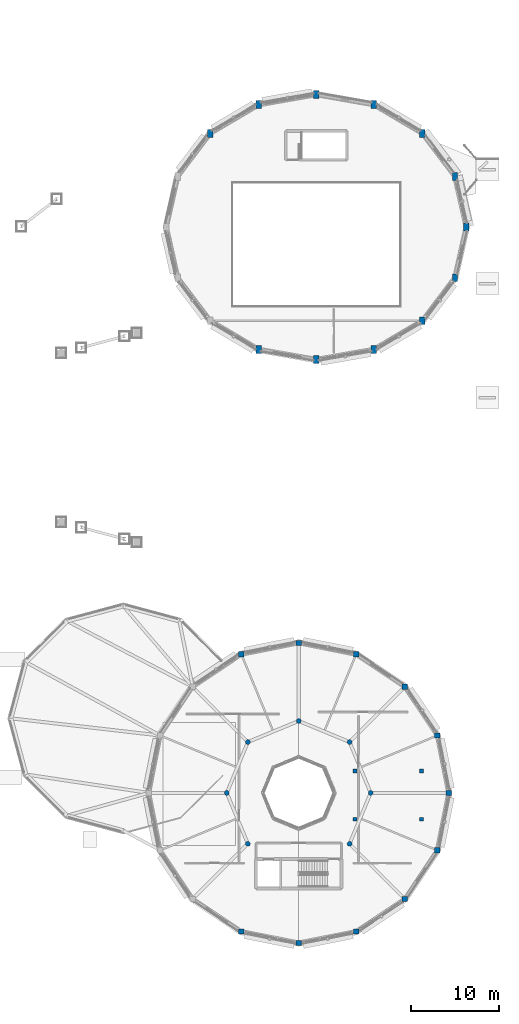
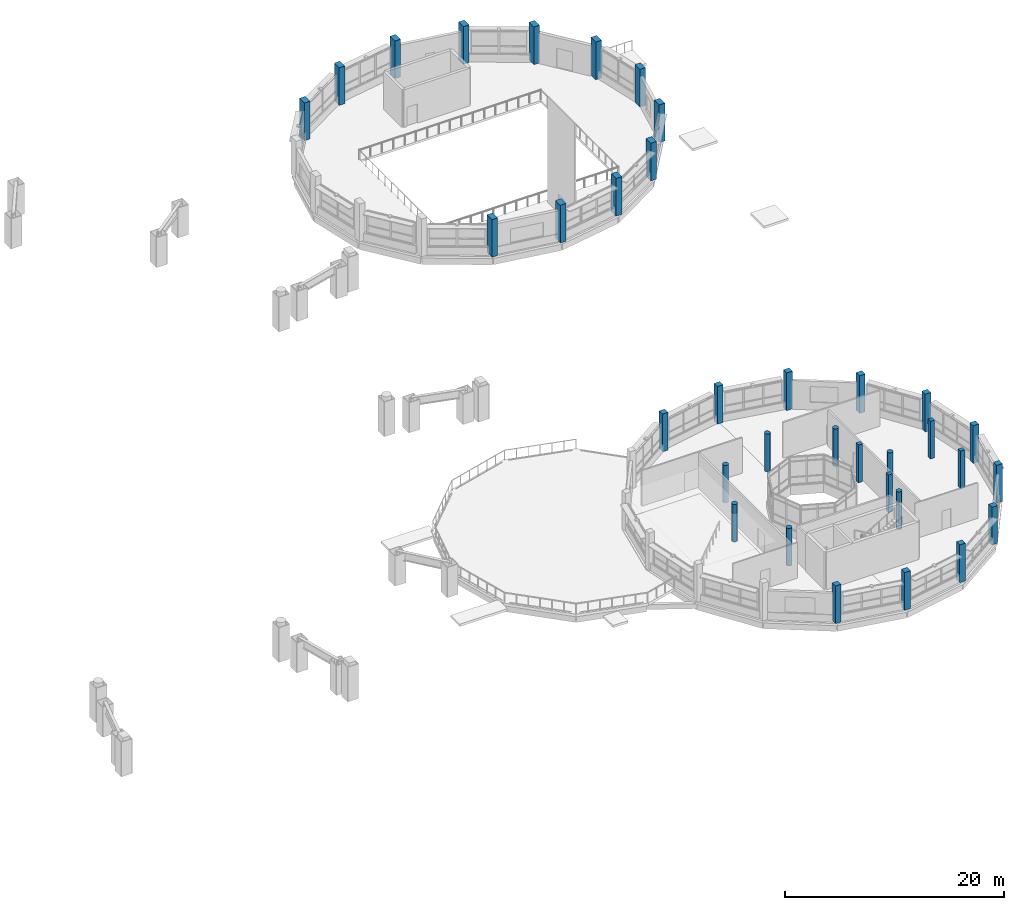
# One storey, part 11 of 128: 34 columns.
"""IFC4 building model written with IfcOpenShell, lengths in metres."""

from ifc_helpers import new_model, si_unit, direction, frame, origin, origin_2d, place, context, subcontext, project, spatial, rectangle, circle, extrude, material, material_profile, profile_set, type_object, element, save


model = new_model("IFC4")

# Units and contexts
model_context = context("Model", 3, precision=1e-05, world=origin(), true_north=direction((0.0, 1.0)))
body_context = subcontext(model_context, "Body", "Model", "MODEL_VIEW")
ifc_project = project(units=[si_unit("LENGTHUNIT", "METRE"), si_unit("AREAUNIT", "SQUARE_METRE"), si_unit("VOLUMEUNIT", "CUBIC_METRE"), si_unit("PLANEANGLEUNIT", "RADIAN"), si_unit("MASSUNIT", "GRAM", prefix="KILO")], contexts=[model_context])

# Site, building, storey
site_placement = place(None, origin())
site = spatial("IfcSite", under=ifc_project, at=site_placement, CompositionType="ELEMENT")
building_placement = place(site_placement, origin())
building = spatial("IfcBuilding", under=site, at=building_placement, Name="Vespera Passage Community Centre", CompositionType="ELEMENT")
storey_placement = place(building_placement, frame((0.0, 0.0, 4.5)))
storey = spatial("IfcBuildingStorey", under=building, at=storey_placement, Name="L01", CompositionType="ELEMENT", Elevation=4.5)

# Columns
ifc_material_1 = material(Name="Concrete f'c 45 MPa", Category="concrete")
ifc_material_profile_1 = material_profile(ifc_material_1, rectangle(XDim=0.449951171875, YDim=0.449951171875, at=origin_2d()), Name="RC450X450")
ifc_profile_set_1 = profile_set([ifc_material_profile_1], Name="Concrete f'c 45 MPa")
column_type_1 = type_object("IfcColumnType", Name="COL-RC450I", PredefinedType="COLUMN", material=ifc_profile_set_1)
for number, where, z_axis, x_axis, name in (
    (1, (147.39990234375, 22.0, 0.0), (0.0, 0.0, 1.0), (1.0, 0.0, 0.0), "L01 Column V3-CONS-1"),
    (2, (155.0, 22.0, 0.0), (0.0, 0.0, 1.0), (1.0, 0.0, 0.0), "L01 Column V3-CONS-2"),
    (3, (155.0, 27.5, 0.0), (0.0, 0.0, 1.0), (1.0, 0.0, 0.0), "L01 Column V3-CONS-3"),
    (4, (147.39990234375, 27.5, 0.0), (0.0, 0.0, 1.0), (1.0, 0.0, 0.0), "L01 Column V3-CONS-4"),
):
    element("IfcColumn", number, at=place(storey_placement, frame(where, z_axis=z_axis, x_axis=x_axis)), inside=storey, type_object=column_type_1, Name=name, PredefinedType="COLUMN", context=body_context, shape_type="SweptSolid", body=[
        extrude(rectangle(XDim=0.449951171875, YDim=0.449951171875, at=origin_2d()), origin(), (0.0, 0.0, 1.0), 4.199951171875),
    ])
ifc_material_2 = material(Name="Concrete f'c 45 MPa", Category="concrete")
ifc_material_profile_2 = material_profile(ifc_material_2, circle(Radius=0.27490234375, at=origin_2d()), Name="RC550DIA")
ifc_profile_set_2 = profile_set([ifc_material_profile_2], Name="Concrete f'c 45 MPa")
column_type_2 = type_object("IfcColumnType", Name="COL-RC550DIA", PredefinedType="COLUMN", material=ifc_profile_set_2)
for number, where, z_axis, x_axis, name in (
    (5, (149.199951171875, 25.0, 0.0), (0.0, 0.0, 1.0), (1.0, 0.0, 0.0), "L01 Column V3-I01"),
    (6, (146.79833984375, 30.79833984375, 0.0), (0.0, 0.0, 1.0), (1.0, 0.0, 0.0), "L01 Column V3-I02"),
    (7, (141.0, 33.199951171875, 0.0), (0.0, 0.0, 1.0), (1.0, 0.0, 0.0), "L01 Column V3-I03"),
    (8, (135.20166015625, 30.79833984375, 0.0), (0.0, 0.0, 1.0), (1.0, 0.0, 0.0), "L01 Column V3-I04"),
    (9, (132.800048828125, 25.0, 0.0), (0.0, 0.0, 1.0), (1.0, 0.0, 0.0), "L01 Column V3-I05"),
    (10, (135.20166015625, 19.20166015625, 0.0), (0.0, 0.0, 1.0), (1.0, 0.0, 0.0), "L01 Column V3-I06"),
    (11, (146.79833984375, 19.20166015625, 0.0), (0.0, 0.0, 1.0), (1.0, 0.0, 0.0), "L01 Column V3-I08"),
):
    element("IfcColumn", number, at=place(storey_placement, frame(where, z_axis=z_axis, x_axis=x_axis)), inside=storey, type_object=column_type_2, Name=name, PredefinedType="COLUMN", context=body_context, shape_type="SweptSolid", body=[
        extrude(circle(Radius=0.27490234375, at=origin_2d()), origin(), (0.0, 0.0, 1.0), 4.199951171875),
    ])
ifc_material_3 = material(Name="Concrete f'c 45 MPa", Category="concrete")
ifc_material_profile_3 = material_profile(ifc_material_3, rectangle(XDim=0.60009765625, YDim=0.60009765625, at=origin_2d()), Name="RC600X600")
ifc_profile_set_3 = profile_set([ifc_material_profile_3], Name="Concrete f'c 45 MPa")
column_type_3 = type_object("IfcColumnType", Name="COL-RC600E", PredefinedType="COLUMN", material=ifc_profile_set_3)
for number, where, z_axis, x_axis, name in (
    (12, (158.10009765625, 25.0, 0.0), (0.0, 0.0, 1.0), (1.0, 0.0, 0.0), "L01 Column V3-P01"),
    (13, (156.79833984375, 31.5439453125, 0.0), (0.0, 0.0, 1.0), (1.0, 0.0, 0.0), "L01 Column V3-P02"),
    (14, (153.091552734375, 37.091552734375, 0.0), (0.0, 0.0, 1.0), (1.0, 0.0, 0.0), "L01 Column V3-P03"),
    (15, (147.5439453125, 40.79833984375, 0.0), (0.0, 0.0, 1.0), (1.0, 0.0, 0.0), "L01 Column V3-P04"),
    (16, (141.0, 42.10009765625, 0.0), (0.0, 0.0, 1.0), (1.0, 0.0, 0.0), "L01 Column V3-P05"),
    (17, (134.4560546875, 40.79833984375, 0.0), (0.0, 0.0, 1.0), (1.0, 0.0, 0.0), "L01 Column V3-P06"),
    (18, (134.4560546875, 9.20166015625, 0.0), (0.0, 0.0, 1.0), (1.0, 0.0, 0.0), "L01 Column V3-P12"),
    (19, (141.0, 7.89990234375, 0.0), (0.0, 0.0, 1.0), (1.0, 0.0, 0.0), "L01 Column V3-P13"),
    (20, (147.5439453125, 9.20166015625, 0.0), (0.0, 0.0, 1.0), (1.0, 0.0, 0.0), "L01 Column V3-P14"),
    (21, (153.091552734375, 12.908447265625, 0.0), (0.0, 0.0, 1.0), (1.0, 0.0, 0.0), "L01 Column V3-P15"),
    (22, (156.79833984375, 18.4560546875, 0.0), (0.0, 0.0, 1.0), (1.0, 0.0, 0.0), "L01 Column V3-P16"),
):
    element("IfcColumn", number, at=place(storey_placement, frame(where, z_axis=z_axis, x_axis=x_axis)), inside=storey, type_object=column_type_3, Name=name, PredefinedType="COLUMN", context=body_context, shape_type="SweptSolid", body=[
        extrude(rectangle(XDim=0.60009765625, YDim=0.60009765625, at=origin_2d()), origin(), (0.0, 0.0, 1.0), 4.199951171875),
    ])
ifc_material_4 = material(Name="Concrete f'c 45 MPa", Category="concrete")
ifc_material_profile_4 = material_profile(ifc_material_4, rectangle(XDim=0.60009765625, YDim=0.89990234375, at=origin_2d()), Name="RC900X600")
ifc_profile_set_4 = profile_set([ifc_material_profile_4], Name="Concrete f'c 45 MPa")
column_type_4 = type_object("IfcColumnType", Name="COL-RC900X600E", PredefinedType="COLUMN", material=ifc_profile_set_4)
for number, where, z_axis, x_axis, name in (
    (23, (160.10009765625, 89.5, 0.0), (0.0, 0.0, 1.0), (1.0, 0.0, 0.0), "L01 Column V2-P01"),
    (24, (158.79833984375, 95.278564453125, 0.0), (0.0, 0.0, 1.0), (1.0, 0.0, 0.0), "L01 Column V2-P02"),
    (25, (155.091552734375, 100.17724609375, 0.0), (0.0, 0.0, 1.0), (1.0, 0.0, 0.0), "L01 Column V2-P03"),
    (26, (149.5439453125, 103.45068359375, 0.0), (0.0, 0.0, 1.0), (1.0, 0.0, 0.0), "L01 Column V2-P04"),
    (27, (143.0, 104.60009765625, 0.0), (0.0, 0.0, 1.0), (1.0, 0.0, 0.0), "L01 Column V2-P05"),
    (28, (136.4560546875, 103.45068359375, 0.0), (0.0, 0.0, 1.0), (1.0, 0.0, 0.0), "L01 Column V2-P06"),
    (29, (130.908447265625, 100.17724609375, 0.0), (0.0, 0.0, 1.0), (1.0, 0.0, 0.0), "L01 Column V2-P07"),
    (30, (136.4560546875, 75.54931640625, 0.0), (0.0, 0.0, 1.0), (1.0, 0.0, 0.0), "L01 Column V2-P12"),
    (31, (143.0, 74.39990234375, 0.0), (0.0, 0.0, 1.0), (1.0, 0.0, 0.0), "L01 Column V2-P13"),
    (32, (149.5439453125, 75.54931640625, 0.0), (0.0, 0.0, 1.0), (1.0, 0.0, 0.0), "L01 Column V2-P14"),
    (33, (155.091552734375, 78.82275390625, 0.0), (0.0, 0.0, 1.0), (1.0, 0.0, 0.0), "L01 Column V2-P15"),
    (34, (158.79833984375, 83.721435546875, 0.0), (0.0, 0.0, 1.0), (1.0, 0.0, 0.0), "L01 Column V2-P16"),
):
    element("IfcColumn", number, at=place(storey_placement, frame(where, z_axis=z_axis, x_axis=x_axis)), inside=storey, type_object=column_type_4, Name=name, PredefinedType="COLUMN", context=body_context, shape_type="SweptSolid", body=[
        extrude(rectangle(XDim=0.60009765625, YDim=0.89990234375, at=origin_2d()), origin(), (0.0, 0.0, 1.0), 4.199951171875),
    ])

save(model, "model.ifc")
